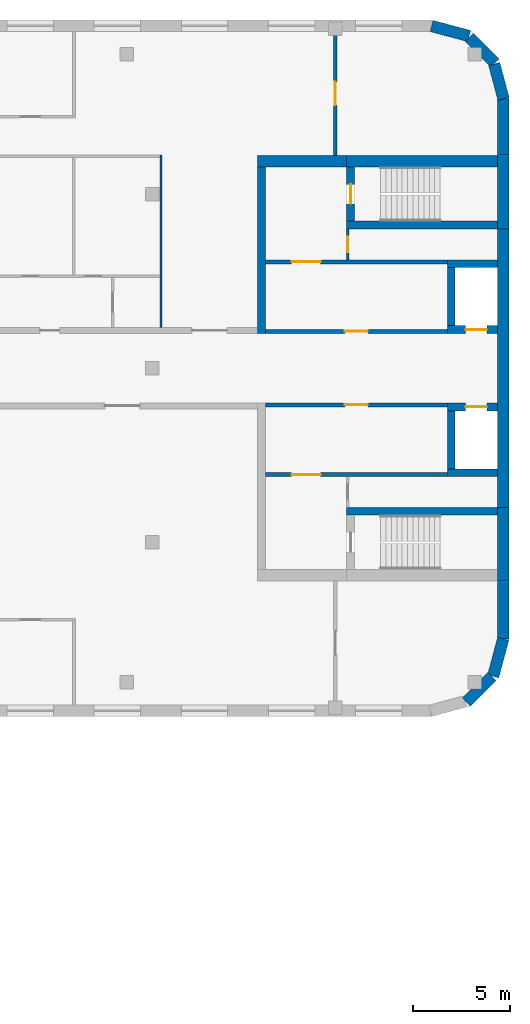
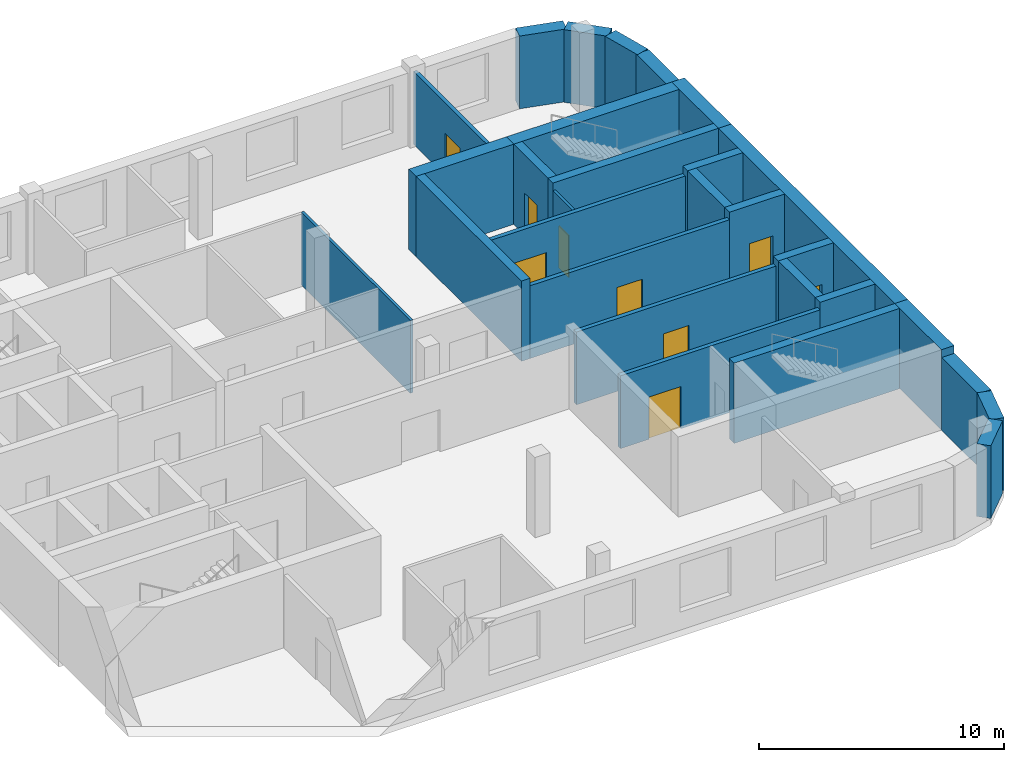
# One storey, part 9 of 12: 29 walls, 9 doors, 9 openings.
"""IFC4 building model written with IfcOpenShell, lengths in metres."""

from ifc_helpers import new_model, si_unit, direction, frame, frame_2d, origin, place, context, subcontext, project, spatial, rectangle, extrude, material, layer, layer_set, type_object, element, fill, save


model = new_model("IFC4")

# Units and contexts
model_context = context("Model", 3, precision=1e-05, world=origin(), true_north=direction((0.0, 1.0)))
body_context = subcontext(model_context, "Body", "Model", "MODEL_VIEW")
ifc_project = project(units=[si_unit("LENGTHUNIT", "METRE"), si_unit("AREAUNIT", "SQUARE_METRE"), si_unit("VOLUMEUNIT", "CUBIC_METRE"), si_unit("PLANEANGLEUNIT", "RADIAN"), si_unit("MASSUNIT", "GRAM", prefix="KILO")], contexts=[model_context])

# Site, building, storey
site_placement = place(None, origin())
site = spatial("IfcSite", under=ifc_project, at=site_placement, CompositionType="ELEMENT")
building_placement = place(site_placement, origin())
building = spatial("IfcBuilding", under=site, at=building_placement, Name="Skarvind Civic Tower", CompositionType="ELEMENT")
storey_placement = place(building_placement, frame((0.0, 0.0, 85.0)))
storey = spatial("IfcBuildingStorey", under=building, at=storey_placement, Name="L19", CompositionType="ELEMENT", Elevation=85.0)

# Wall, opening, door
ifc_material_1 = material(Name="Acoustic gypsum board on steel studs", Category="steel")
ifc_layer_1 = layer(ifc_material_1, 0.175048828125)
ifc_layer_set_1 = layer_set([ifc_layer_1], Name="ACOUSTIC MEETING-ROOM PARTITION 175")
wall_type_1 = type_object("IfcWallType", Name="ACOUSTIC MEETING-ROOM PARTITION 175", PredefinedType="PARTITIONING", material=ifc_layer_set_1)
wall_1_placement = place(storey_placement, frame((158.0, 139.0, 0.0), z_axis=(0.0, 0.0, 1.0), x_axis=(0.0, 1.0, 0.0)))
wall_1 = element("IfcWall", 1, at=wall_1_placement, inside=storey, type_object=wall_type_1, Name="Partition 19.017", PredefinedType="PARTITIONING", context=body_context, shape_type="SweptSolid", body=[
    extrude(rectangle(XDim=6.39990234375, YDim=0.175048828125, at=frame_2d((3.199951171875, 0.0))), origin(), (0.0, 0.0, 1.0), 3.625),
])
opening_1_placement = place(wall_1_placement, frame((2.60009765625, 0.0, 0.0)))
opening_1 = element("IfcOpeningElement", 2, at=opening_1_placement, cuts=wall_1, Name="Opening L19-D108", PredefinedType="OPENING", context=body_context, shape_type="SweptSolid", body=[
    extrude(rectangle(XDim=1.199951171875, YDim=2.10009765625, at=frame_2d((0.60009765625, 1.050048828125))), frame((0.0, 0.097412109375, 0.0), z_axis=(0.0, -1.0, 0.0), x_axis=(1.0, 0.0, 0.0)), (0.0, 0.0, 1.0), 0.195068359375),
])
ifc_material_2 = material(Name="Timber door leaf", Category="wood")
door_type_1 = type_object("IfcDoorType", Name="DOOR 1200X2100 DOUBLE TIMBER", OperationType="NOTDEFINED", PredefinedType="DOOR", material=ifc_material_2)
door_1_placement = place(opening_1_placement, origin())
door_1 = element("IfcDoor", 3, at=door_1_placement, inside=storey, type_object=door_type_1, Name="Door L19-D108", OperationType="DOUBLE_DOOR_SINGLE_SWING", OverallHeight=2.10009765625, OverallWidth=1.199951171875, PredefinedType="DOOR", context=body_context, shape_type="SweptSolid", body=[
    extrude(rectangle(XDim=1.199951171875, YDim=2.10009765625, at=frame_2d((0.60009765625, 1.050048828125))), frame((0.0, 0.02490234375, 0.0), z_axis=(0.0, -1.0, 0.0), x_axis=(1.0, 0.0, 0.0)), (0.0, 0.0, 1.0), 0.050048828125),
])
fill(opening_1, door_1)

ifc_material_3 = material(Name="Fire-rated masonry partition", Category="masonry")
ifc_layer_2 = layer(ifc_material_3, 0.199951171875)
ifc_layer_set_2 = layer_set([ifc_layer_2], Name="Core enclosure wall 200")
wall_type_2 = type_object("IfcWallType", Name="Core enclosure wall 200", PredefinedType="PARTITIONING", material=ifc_layer_set_2)
wall_2_placement = place(storey_placement, frame((163.800048828125, 126.10009765625, 0.0), z_axis=(0.0, 0.0, 1.0), x_axis=(-1.0, 0.0, 0.0)))
wall_2 = element("IfcWall", 4, at=wall_2_placement, inside=storey, type_object=wall_type_2, Name="Core wall CB", PredefinedType="PARTITIONING", context=body_context, shape_type="SweptSolid", body=[
    extrude(rectangle(XDim=9.400146484375, YDim=0.199951171875, at=frame_2d((4.7001953125, 0.0))), origin(), (0.0, 0.0, 1.0), 3.625),
])
opening_2_placement = place(wall_2_placement, frame((4.10009765625, 0.0, 0.0)))
opening_2 = element("IfcOpeningElement", 5, at=opening_2_placement, cuts=wall_2, Name="Opening D-L19-CB-03", PredefinedType="OPENING", context=body_context, shape_type="SweptSolid", body=[
    extrude(rectangle(XDim=1.199951171875, YDim=2.10009765625, at=frame_2d((0.60009765625, 1.050048828125))), frame((0.0, 0.10986328125, 0.0), z_axis=(0.0, -1.0, 0.0), x_axis=(1.0, 0.0, 0.0)), (0.0, 0.0, 1.0), 0.219970703125),
])
ifc_material_4 = material(Name="Fire-rated steel door", Category="steel")
door_type_2 = type_object("IfcDoorType", Name="Core lobby door 1200", OperationType="NOTDEFINED", PredefinedType="DOOR", material=ifc_material_4)
door_2_placement = place(opening_2_placement, origin())
door_2 = element("IfcDoor", 6, at=door_2_placement, inside=storey, type_object=door_type_2, Name="Fire door", OperationType="DOUBLE_DOOR_SINGLE_SWING", OverallHeight=2.10009765625, OverallWidth=1.199951171875, PredefinedType="DOOR", context=body_context, shape_type="SweptSolid", body=[
    extrude(rectangle(XDim=1.199951171875, YDim=2.10009765625, at=frame_2d((0.60009765625, 1.050048828125))), frame((0.0, 0.02490234375, 0.0), z_axis=(0.0, -1.0, 0.0), x_axis=(1.0, 0.0, 0.0)), (0.0, 0.0, 1.0), 0.050048828125),
])
fill(opening_2, door_2)

wall_3_placement = place(storey_placement, frame((163.800048828125, 122.5, 0.0), z_axis=(0.0, 0.0, 1.0), x_axis=(-1.0, 0.0, 0.0)))
wall_3 = element("IfcWall", 7, at=wall_3_placement, inside=storey, type_object=wall_type_2, Name="Core wall CB", PredefinedType="PARTITIONING", context=body_context, shape_type="SweptSolid", body=[
    extrude(rectangle(XDim=9.400146484375, YDim=0.199951171875, at=frame_2d((4.7001953125, 0.0))), origin(), (0.0, 0.0, 1.0), 3.625),
])
opening_3_placement = place(wall_3_placement, frame((6.550048828125, 0.0, 0.0)))
opening_3 = element("IfcOpeningElement", 8, at=opening_3_placement, cuts=wall_3, Name="Opening D-L19-CB-04", PredefinedType="OPENING", context=body_context, shape_type="SweptSolid", body=[
    extrude(rectangle(XDim=1.5, YDim=2.10009765625, at=frame_2d((0.75, 1.050048828125))), frame((0.0, 0.10986328125, 0.0), z_axis=(0.0, -1.0, 0.0), x_axis=(1.0, 0.0, 0.0)), (0.0, 0.0, 1.0), 0.219970703125),
])
door_type_3 = type_object("IfcDoorType", Name="Fire door 1500", OperationType="NOTDEFINED", PredefinedType="DOOR", material=ifc_material_4)
door_3_placement = place(opening_3_placement, origin())
door_3 = element("IfcDoor", 9, at=door_3_placement, inside=storey, type_object=door_type_3, Name="Fire door", OperationType="DOUBLE_DOOR_SINGLE_SWING", OverallHeight=2.10009765625, OverallWidth=1.5, PredefinedType="DOOR", context=body_context, shape_type="SweptSolid", body=[
    extrude(rectangle(XDim=1.5, YDim=2.10009765625, at=frame_2d((0.75, 1.050048828125))), frame((0.0, 0.02490234375, 0.0), z_axis=(0.0, -1.0, 0.0), x_axis=(1.0, 0.0, 0.0)), (0.0, 0.0, 1.0), 0.050048828125),
])
fill(opening_3, door_3)

wall_4_placement = place(storey_placement, frame((154.39990234375, 129.89990234375, 0.0), z_axis=(0.0, 0.0, 1.0), x_axis=(1.0, 0.0, 0.0)))
wall_4 = element("IfcWall", 10, at=wall_4_placement, inside=storey, type_object=wall_type_2, Name="Core wall CB", PredefinedType="PARTITIONING", context=body_context, shape_type="SweptSolid", body=[
    extrude(rectangle(XDim=9.400146484375, YDim=0.199951171875, at=frame_2d((4.7001953125, 0.0))), origin(), (0.0, 0.0, 1.0), 3.625),
])
opening_4_placement = place(wall_4_placement, frame((4.10009765625, 0.0, 0.0)))
opening_4 = element("IfcOpeningElement", 11, at=opening_4_placement, cuts=wall_4, Name="Opening D-L19-CB-07", PredefinedType="OPENING", context=body_context, shape_type="SweptSolid", body=[
    extrude(rectangle(XDim=1.199951171875, YDim=2.10009765625, at=frame_2d((0.60009765625, 1.050048828125))), frame((0.0, 0.10986328125, 0.0), z_axis=(0.0, -1.0, 0.0), x_axis=(1.0, 0.0, 0.0)), (0.0, 0.0, 1.0), 0.219970703125),
])
door_4_placement = place(opening_4_placement, origin())
door_4 = element("IfcDoor", 12, at=door_4_placement, inside=storey, type_object=door_type_2, Name="Fire door", OperationType="DOUBLE_DOOR_SINGLE_SWING", OverallHeight=2.10009765625, OverallWidth=1.199951171875, PredefinedType="DOOR", context=body_context, shape_type="SweptSolid", body=[
    extrude(rectangle(XDim=1.199951171875, YDim=2.10009765625, at=frame_2d((0.60009765625, 1.050048828125))), frame((0.0, 0.02490234375, 0.0), z_axis=(0.0, -1.0, 0.0), x_axis=(1.0, 0.0, 0.0)), (0.0, 0.0, 1.0), 0.050048828125),
])
fill(opening_4, door_4)

wall_5_placement = place(storey_placement, frame((154.39990234375, 133.5, 0.0), z_axis=(0.0, 0.0, 1.0), x_axis=(1.0, 0.0, 0.0)))
wall_5 = element("IfcWall", 13, at=wall_5_placement, inside=storey, type_object=wall_type_2, Name="Core wall CB", PredefinedType="PARTITIONING", context=body_context, shape_type="SweptSolid", body=[
    extrude(rectangle(XDim=9.400146484375, YDim=0.199951171875, at=frame_2d((4.7001953125, 0.0))), origin(), (0.0, 0.0, 1.0), 3.625),
])
opening_5_placement = place(wall_5_placement, frame((1.35009765625, 0.0, 0.0)))
opening_5 = element("IfcOpeningElement", 14, at=opening_5_placement, cuts=wall_5, Name="Opening D-L19-CB-08", PredefinedType="OPENING", context=body_context, shape_type="SweptSolid", body=[
    extrude(rectangle(XDim=1.5, YDim=2.10009765625, at=frame_2d((0.75, 1.050048828125))), frame((0.0, 0.10986328125, 0.0), z_axis=(0.0, -1.0, 0.0), x_axis=(1.0, 0.0, 0.0)), (0.0, 0.0, 1.0), 0.219970703125),
])
door_5_placement = place(opening_5_placement, origin())
door_5 = element("IfcDoor", 15, at=door_5_placement, inside=storey, type_object=door_type_3, Name="Fire door", OperationType="DOUBLE_DOOR_SINGLE_SWING", OverallHeight=2.10009765625, OverallWidth=1.5, PredefinedType="DOOR", context=body_context, shape_type="SweptSolid", body=[
    extrude(rectangle(XDim=1.5, YDim=2.10009765625, at=frame_2d((0.75, 1.050048828125))), frame((0.0, 0.02490234375, 0.0), z_axis=(0.0, -1.0, 0.0), x_axis=(1.0, 0.0, 0.0)), (0.0, 0.0, 1.0), 0.050048828125),
])
fill(opening_5, door_5)

# Wall
ifc_material_5 = material(Name="Concrete C80", Category="concrete")
ifc_layer_3 = layer(ifc_material_5, 0.39990234375)
ifc_layer_set_3 = layer_set([ifc_layer_3], Name="Core wall 400 C80")
wall_type_3 = type_object("IfcWallType", Name="Core wall 400 C80", PredefinedType="SHEAR", material=ifc_layer_set_3)
wall_6_placement = place(storey_placement, frame((166.39990234375, 135.39990234375, 0.0), z_axis=(0.0, 0.0, 1.0), x_axis=(-1.0, 0.0, 0.0)))
element("IfcWall", 16, at=wall_6_placement, inside=storey, type_object=wall_type_3, Name="Core wall CB south stair inner L19", PredefinedType="SHEAR", context=body_context, shape_type="SweptSolid", body=[
    extrude(rectangle(XDim=7.7998046875, YDim=0.39990234375, at=frame_2d((3.89990234375, 0.0))), origin(), (0.0, 0.0, 1.0), 4.0),
])

# Wall, opening, door
wall_7_placement = place(storey_placement, frame((158.800048828125, 138.39990234375, 0.0), z_axis=(0.0, 0.0, 1.0), x_axis=(0.0, -1.0, 0.0)))
wall_7 = element("IfcWall", 17, at=wall_7_placement, inside=storey, type_object=wall_type_3, Name="Core wall CB south stair end L19", PredefinedType="SHEAR", context=body_context, shape_type="SweptSolid", body=[
    extrude(rectangle(XDim=2.7998046875, YDim=0.39990234375, at=frame_2d((1.39990234375, 0.0))), origin(), (0.0, 0.0, 1.0), 4.0),
])
opening_6_placement = place(wall_7_placement, frame((0.89990234375, 0.0, 0.0)))
opening_6 = element("IfcOpeningElement", 18, at=opening_6_placement, cuts=wall_7, Name="Opening D-L19-CB-09", PredefinedType="OPENING", context=body_context, shape_type="SweptSolid", body=[
    extrude(rectangle(XDim=1.0, YDim=2.10009765625, at=frame_2d((0.5, 1.050048828125))), frame((0.0, 0.2099609375, 0.0), z_axis=(0.0, -1.0, 0.0), x_axis=(1.0, 0.0, 0.0)), (0.0, 0.0, 1.0), 0.419921875),
])
door_type_4 = type_object("IfcDoorType", Name="Fire door 1000", OperationType="NOTDEFINED", PredefinedType="DOOR", material=ifc_material_4)
door_6_placement = place(opening_6_placement, origin())
door_6 = element("IfcDoor", 19, at=door_6_placement, inside=storey, type_object=door_type_4, Name="Fire door", OperationType="SINGLE_SWING_RIGHT", OverallHeight=2.10009765625, OverallWidth=1.0, PredefinedType="DOOR", context=body_context, shape_type="SweptSolid", body=[
    extrude(rectangle(XDim=1.0, YDim=2.10009765625, at=frame_2d((0.5, 1.050048828125))), frame((0.0, 0.02490234375, 0.0), z_axis=(0.0, -1.0, 0.0), x_axis=(1.0, 0.0, 0.0)), (0.0, 0.0, 1.0), 0.050048828125),
])
fill(opening_6, door_6)

# Wall
wall_8_placement = place(storey_placement, frame((166.39990234375, 120.60009765625, 0.0), z_axis=(0.0, 0.0, 1.0), x_axis=(-1.0, 0.0, 0.0)))
element("IfcWall", 20, at=wall_8_placement, inside=storey, type_object=wall_type_3, Name="Core wall CB north stair inner L19", PredefinedType="SHEAR", context=body_context, shape_type="SweptSolid", body=[
    extrude(rectangle(XDim=7.7998046875, YDim=0.39990234375, at=frame_2d((3.89990234375, 0.0))), origin(), (0.0, 0.0, 1.0), 4.0),
])

# Wall, opening, door
wall_9_placement = place(storey_placement, frame((166.39990234375, 130.0, 0.0), z_axis=(0.0, 0.0, 1.0), x_axis=(-1.0, 0.0, 0.0)))
wall_9 = element("IfcWall", 21, at=wall_9_placement, inside=storey, type_object=wall_type_3, Name="Core wall CB south lift row front L19", PredefinedType="SHEAR", context=body_context, shape_type="SweptSolid", body=[
    extrude(rectangle(XDim=2.599853515625, YDim=0.39990234375, at=frame_2d((1.2998046875, 0.0))), origin(), (0.0, 0.0, 1.0), 4.0),
])
opening_7_placement = place(wall_9_placement, frame((0.550048828125, 0.0, 0.0)))
opening_7 = element("IfcOpeningElement", 22, at=opening_7_placement, cuts=wall_9, Name="Opening LD21402", PredefinedType="OPENING", context=body_context, shape_type="SweptSolid", body=[
    extrude(rectangle(XDim=1.10009765625, YDim=2.10009765625, at=frame_2d((0.550048828125, 1.050048828125))), frame((0.0, 0.2099609375, 0.0), z_axis=(0.0, -1.0, 0.0), x_axis=(1.0, 0.0, 0.0)), (0.0, 0.0, 1.0), 0.419921875),
])
ifc_material_6 = material(Name="Stainless steel landing door", Category="steel")
door_type_5 = type_object("IfcDoorType", Name="Lift landing door 1100", OperationType="DOUBLE_DOOR_SLIDING", PredefinedType="DOOR", material=ifc_material_6)
door_7_placement = place(opening_7_placement, origin())
door_7 = element("IfcDoor", 23, at=door_7_placement, inside=storey, type_object=door_type_5, Name="Lift landing door", OperationType="DOUBLE_DOOR_SLIDING", OverallHeight=2.10009765625, OverallWidth=1.10009765625, PredefinedType="DOOR", context=body_context, shape_type="SweptSolid", body=[
    extrude(rectangle(XDim=1.10009765625, YDim=2.10009765625, at=frame_2d((0.550048828125, 1.050048828125))), frame((0.0, 0.02490234375, 0.0), z_axis=(0.0, -1.0, 0.0), x_axis=(1.0, 0.0, 0.0)), (0.0, 0.0, 1.0), 0.050048828125),
])
fill(opening_7, door_7)

# Walls
wall_10_placement = place(storey_placement, frame((166.39990234375, 133.39990234375, 0.0), z_axis=(0.0, 0.0, 1.0), x_axis=(-1.0, 0.0, 0.0)))
element("IfcWall", 24, at=wall_10_placement, inside=storey, type_object=wall_type_3, Name="Core wall CB south lift row back L19", PredefinedType="SHEAR", context=body_context, shape_type="SweptSolid", body=[
    extrude(rectangle(XDim=2.599853515625, YDim=0.39990234375, at=frame_2d((1.2998046875, 0.0))), origin(), (0.0, 0.0, 1.0), 4.0),
])
wall_11_placement = place(storey_placement, frame((164.0, 133.199951171875, 0.0), z_axis=(0.0, 0.0, 1.0), x_axis=(0.0, -1.0, 0.0)))
element("IfcWall", 25, at=wall_11_placement, inside=storey, type_object=wall_type_3, Name="Core wall CB south lift row division 1 L19", PredefinedType="SHEAR", context=body_context, shape_type="SweptSolid", body=[
    extrude(rectangle(XDim=3.0, YDim=0.39990234375, at=frame_2d((1.5, 0.0))), origin(), (0.0, 0.0, 1.0), 4.0),
])

# Wall, opening, door
wall_12_placement = place(storey_placement, frame((166.39990234375, 126.0, 0.0), z_axis=(0.0, 0.0, 1.0), x_axis=(-1.0, 0.0, 0.0)))
wall_12 = element("IfcWall", 26, at=wall_12_placement, inside=storey, type_object=wall_type_3, Name="Core wall CB north lift row front L19", PredefinedType="SHEAR", context=body_context, shape_type="SweptSolid", body=[
    extrude(rectangle(XDim=2.599853515625, YDim=0.39990234375, at=frame_2d((1.2998046875, 0.0))), origin(), (0.0, 0.0, 1.0), 4.0),
])
opening_8_placement = place(wall_12_placement, frame((0.550048828125, 0.0, 0.0)))
opening_8 = element("IfcOpeningElement", 27, at=opening_8_placement, cuts=wall_12, Name="Opening LD21401", PredefinedType="OPENING", context=body_context, shape_type="SweptSolid", body=[
    extrude(rectangle(XDim=1.10009765625, YDim=2.10009765625, at=frame_2d((0.550048828125, 1.050048828125))), frame((0.0, 0.2099609375, 0.0), z_axis=(0.0, -1.0, 0.0), x_axis=(1.0, 0.0, 0.0)), (0.0, 0.0, 1.0), 0.419921875),
])
door_8_placement = place(opening_8_placement, origin())
door_8 = element("IfcDoor", 28, at=door_8_placement, inside=storey, type_object=door_type_5, Name="Lift landing door", OperationType="DOUBLE_DOOR_SLIDING", OverallHeight=2.10009765625, OverallWidth=1.10009765625, PredefinedType="DOOR", context=body_context, shape_type="SweptSolid", body=[
    extrude(rectangle(XDim=1.10009765625, YDim=2.10009765625, at=frame_2d((0.550048828125, 1.050048828125))), frame((0.0, 0.02490234375, 0.0), z_axis=(0.0, -1.0, 0.0), x_axis=(1.0, 0.0, 0.0)), (0.0, 0.0, 1.0), 0.050048828125),
])
fill(opening_8, door_8)

# Walls
wall_13_placement = place(storey_placement, frame((166.39990234375, 122.60009765625, 0.0), z_axis=(0.0, 0.0, 1.0), x_axis=(-1.0, 0.0, 0.0)))
element("IfcWall", 29, at=wall_13_placement, inside=storey, type_object=wall_type_3, Name="Core wall CB north lift row back L19", PredefinedType="SHEAR", context=body_context, shape_type="SweptSolid", body=[
    extrude(rectangle(XDim=2.599853515625, YDim=0.39990234375, at=frame_2d((1.2998046875, 0.0))), origin(), (0.0, 0.0, 1.0), 4.0),
])
wall_14_placement = place(storey_placement, frame((164.0, 125.800048828125, 0.0), z_axis=(0.0, 0.0, 1.0), x_axis=(0.0, -1.0, 0.0)))
element("IfcWall", 30, at=wall_14_placement, inside=storey, type_object=wall_type_3, Name="Core wall CB north lift row division 1 L19", PredefinedType="SHEAR", context=body_context, shape_type="SweptSolid", body=[
    extrude(rectangle(XDim=3.0, YDim=0.39990234375, at=frame_2d((1.5, 0.0))), origin(), (0.0, 0.0, 1.0), 4.0),
])
wall_15_placement = place(storey_placement, frame((154.199951171875, 138.39990234375, 0.0), z_axis=(0.0, 0.0, 1.0), x_axis=(0.0, -1.0, 0.0)))
element("IfcWall", 31, at=wall_15_placement, inside=storey, type_object=wall_type_3, Name="Core wall CB south inner face L19", PredefinedType="SHEAR", context=body_context, shape_type="SweptSolid", body=[
    extrude(rectangle(XDim=8.599853515625, YDim=0.39990234375, at=frame_2d((4.2998046875, 0.0))), origin(), (0.0, 0.0, 1.0), 4.0),
])
ifc_layer_4 = layer(ifc_material_5, 0.60009765625)
ifc_layer_set_4 = layer_set([ifc_layer_4], Name="Core wall 600 C80")
wall_type_4 = type_object("IfcWallType", Name="Core wall 600 C80", PredefinedType="SHEAR", material=ifc_layer_set_4)
wall_16_placement = place(storey_placement, frame((166.699951171875, 139.0, 0.0), z_axis=(0.0, 0.0, 1.0), x_axis=(0.0, -1.0, 0.0)))
element("IfcWall", 32, at=wall_16_placement, inside=storey, type_object=wall_type_4, Name="Core wall CB tip at the south stair L19", PredefinedType="SHEAR", context=body_context, shape_type="SweptSolid", body=[
    extrude(rectangle(XDim=3.800048828125, YDim=0.60009765625, at=frame_2d((1.89990234375, 0.0))), origin(), (0.0, 0.0, 1.0), 4.0),
])
wall_17_placement = place(storey_placement, frame((166.699951171875, 135.199951171875, 0.0), z_axis=(0.0, 0.0, 1.0), x_axis=(0.0, -1.0, 0.0)))
element("IfcWall", 33, at=wall_17_placement, inside=storey, type_object=wall_type_4, Name="Core wall CB tip between the stairs L19", PredefinedType="SHEAR", context=body_context, shape_type="SweptSolid", body=[
    extrude(rectangle(XDim=14.39990234375, YDim=0.60009765625, at=frame_2d((7.199951171875, 0.0))), origin(), (0.0, 0.0, 1.0), 4.0),
])
wall_18_placement = place(storey_placement, frame((166.699951171875, 120.800048828125, 0.0), z_axis=(0.0, 0.0, 1.0), x_axis=(0.0, -1.0, 0.0)))
element("IfcWall", 34, at=wall_18_placement, inside=storey, type_object=wall_type_4, Name="Core wall CB tip at the north stair L19", PredefinedType="SHEAR", context=body_context, shape_type="SweptSolid", body=[
    extrude(rectangle(XDim=3.800048828125, YDim=0.60009765625, at=frame_2d((1.89990234375, 0.0))), origin(), (0.0, 0.0, 1.0), 4.0),
])
wall_19_placement = place(storey_placement, frame((166.39990234375, 138.699951171875, 0.0), z_axis=(0.0, 0.0, 1.0), x_axis=(-1.0, 0.0, 0.0)))
element("IfcWall", 35, at=wall_19_placement, inside=storey, type_object=wall_type_4, Name="Core wall CB south side at the stair L19", PredefinedType="SHEAR", context=body_context, shape_type="SweptSolid", body=[
    extrude(rectangle(XDim=7.7998046875, YDim=0.60009765625, at=frame_2d((3.89990234375, 0.0))), origin(), (0.0, 0.0, 1.0), 4.0),
])
wall_20_placement = place(storey_placement, frame((158.60009765625, 138.699951171875, 0.0), z_axis=(0.0, 0.0, 1.0), x_axis=(-1.0, 0.0, 0.0)))
element("IfcWall", 36, at=wall_20_placement, inside=storey, type_object=wall_type_4, Name="Core wall CB south side L19", PredefinedType="SHEAR", context=body_context, shape_type="SweptSolid", body=[
    extrude(rectangle(XDim=4.60009765625, YDim=0.60009765625, at=frame_2d((2.300048828125, 0.0))), origin(), (0.0, 0.0, 1.0), 4.0),
])

# Wall, opening, door
ifc_layer_5 = layer(ifc_material_3, 0.125)
ifc_layer_set_5 = layer_set([ifc_layer_5], Name="Riser wall 125")
wall_type_5 = type_object("IfcWallType", Name="Riser wall 125", PredefinedType="PARTITIONING", material=ifc_layer_set_5)
wall_21_placement = place(storey_placement, frame((158.66259765625, 133.60009765625, 0.0), z_axis=(0.0, 0.0, 1.0), x_axis=(0.0, 1.0, 0.0)))
wall_21 = element("IfcWall", 37, at=wall_21_placement, inside=storey, type_object=wall_type_5, Name="Core wall CB", PredefinedType="PARTITIONING", context=body_context, shape_type="SweptSolid", body=[
    extrude(rectangle(XDim=1.599853515625, YDim=0.125, at=frame_2d((0.7998046875, 0.0))), origin(), (0.0, 0.0, 1.0), 3.625),
])
opening_9_placement = place(wall_21_placement, frame((0.39990234375, 0.0, 0.0)))
opening_9 = element("IfcOpeningElement", 38, at=opening_9_placement, cuts=wall_21, Name="Opening D-L19-CB-10", PredefinedType="OPENING", context=body_context, shape_type="SweptSolid", body=[
    extrude(rectangle(XDim=0.800048828125, YDim=2.10009765625, at=frame_2d((0.39990234375, 1.050048828125))), frame((0.0, 0.072509765625, 0.0), z_axis=(0.0, -1.0, 0.0), x_axis=(1.0, 0.0, 0.0)), (0.0, 0.0, 1.0), 0.14501953125),
])
door_type_6 = type_object("IfcDoorType", Name="Core riser door 800", OperationType="NOTDEFINED", PredefinedType="DOOR", material=ifc_material_4)
door_9_placement = place(opening_9_placement, origin())
door_9 = element("IfcDoor", 39, at=door_9_placement, inside=storey, type_object=door_type_6, Name="Riser door", OperationType="SINGLE_SWING_LEFT", OverallHeight=2.10009765625, OverallWidth=0.800048828125, PredefinedType="DOOR", context=body_context, shape_type="SweptSolid", body=[
    extrude(rectangle(XDim=0.800048828125, YDim=2.10009765625, at=frame_2d((0.39990234375, 1.050048828125))), frame((0.0, 0.02490234375, 0.0), z_axis=(0.0, -1.0, 0.0), x_axis=(1.0, 0.0, 0.0)), (0.0, 0.0, 1.0), 0.050048828125),
])
fill(opening_9, door_9)

# Walls
ifc_material_7 = material(Name="Moisture-resistant gypsum board on steel studs", Category="steel")
ifc_layer_6 = layer(ifc_material_7, 0.125)
ifc_layer_set_6 = layer_set([ifc_layer_6], Name="WC PARTITION 125")
wall_type_6 = type_object("IfcWallType", Name="WC PARTITION 125", PredefinedType="PARTITIONING", material=ifc_layer_set_6)
wall_22_placement = place(storey_placement, frame((149.0, 139.011962890625, 0.0), z_axis=(0.0, 0.0, 1.0), x_axis=(0.0, -1.0, 0.0)))
element("IfcWall", 40, at=wall_22_placement, inside=storey, type_object=wall_type_6, Name="Partition 19.014", PredefinedType="PARTITIONING", context=body_context, shape_type="SweptSolid", body=[
    extrude(rectangle(XDim=8.911865234375, YDim=0.125, at=frame_2d((4.4560546875, 0.0))), origin(), (0.0, 0.0, 1.0), 3.625),
])
ifc_material_8 = material(Name="Limestone masonry cladding on insulated backing", Category="masonry")
ifc_layer_7 = layer(ifc_material_8, 0.60009765625)
ifc_layer_set_7 = layer_set([ifc_layer_7], Name="WX1 STONE FACADE WALL 600")
wall_type_7 = type_object("IfcWallType", Name="WX1 STONE FACADE WALL 600", PredefinedType="SOLIDWALL", material=ifc_layer_set_7)
wall_23_placement = place(storey_placement, frame((166.103515625, 112.063720703125, 0.0), z_axis=(0.0, 0.0, 1.0), x_axis=(-0.707106781187, -0.707106781187, 0.0)))
element("IfcWall", 41, at=wall_23_placement, inside=storey, type_object=wall_type_7, Name="STONE FACADE WALL", PredefinedType="SOLIDWALL", context=body_context, shape_type="SweptSolid", body=[
    extrude(rectangle(XDim=1.860595703125, YDim=0.60009765625, at=frame_2d((0.93017578125, 0.0))), origin(), (0.0, 0.0, 1.0), 3.625),
])
wall_24_placement = place(storey_placement, frame((166.692138671875, 114.010009765625, 0.0), z_axis=(0.0, 0.0, 1.0), x_axis=(-0.258839784042, -0.965920269068, 0.0)))
element("IfcWall", 42, at=wall_24_placement, inside=storey, type_object=wall_type_7, Name="STONE FACADE WALL", PredefinedType="SOLIDWALL", context=body_context, shape_type="SweptSolid", body=[
    extrude(rectangle(XDim=2.00048828125, YDim=0.60009765625, at=frame_2d((1.000244140625, 0.0))), origin(), (0.0, 0.0, 1.0), 3.625),
])
wall_25_placement = place(storey_placement, frame((166.699951171875, 116.97998046875, 0.0), z_axis=(0.0, 0.0, 1.0), x_axis=(0.0, -1.0, 0.0)))
element("IfcWall", 43, at=wall_25_placement, inside=storey, type_object=wall_type_7, Name="STONE FACADE WALL", PredefinedType="SOLIDWALL", context=body_context, shape_type="SweptSolid", body=[
    extrude(rectangle(XDim=2.97998046875, YDim=0.60009765625, at=frame_2d((1.489990234375, 0.0))), origin(), (0.0, 0.0, 1.0), 3.625),
])
wall_26_placement = place(storey_placement, frame((166.699951171875, 141.929931640625, 0.0), z_axis=(0.0, 0.0, 1.0), x_axis=(0.0, -1.0, 0.0)))
element("IfcWall", 44, at=wall_26_placement, inside=storey, type_object=wall_type_7, Name="STONE FACADE WALL", PredefinedType="SOLIDWALL", context=body_context, shape_type="SweptSolid", body=[
    extrude(rectangle(XDim=2.909912109375, YDim=0.60009765625, at=frame_2d((1.455078125, 0.0))), origin(), (0.0, 0.0, 1.0), 3.625),
])
for number, where, z_axis, x_axis, name in (
    (45, (166.228759765625, 143.719482421875, 0.0), (0.0, 0.0, 1.0), (0.258773254036, -0.965938094805, 0.0), "STONE FACADE WALL"),
    (46, (164.936279296875, 145.103515625, 0.0), (0.0, 0.0, 1.0), (0.707106781187, -0.707106781187, 0.0), "STONE FACADE WALL"),
):
    element("IfcWall", number, at=place(storey_placement, frame(where, z_axis=z_axis, x_axis=x_axis)), inside=storey, type_object=wall_type_7, Name=name, PredefinedType="SOLIDWALL", context=body_context, shape_type="SweptSolid", body=[
        extrude(rectangle(XDim=1.860595703125, YDim=0.60009765625, at=frame_2d((0.93017578125, 0.0))), origin(), (0.0, 0.0, 1.0), 3.625),
    ])
wall_27_placement = place(storey_placement, frame((162.989990234375, 145.692138671875, 0.0), z_axis=(0.0, 0.0, 1.0), x_axis=(0.965920269068, -0.258839784042, 0.0)))
element("IfcWall", 47, at=wall_27_placement, inside=storey, type_object=wall_type_7, Name="STONE FACADE WALL", PredefinedType="SOLIDWALL", context=body_context, shape_type="SweptSolid", body=[
    extrude(rectangle(XDim=2.00048828125, YDim=0.60009765625, at=frame_2d((1.000244140625, 0.0))), origin(), (0.0, 0.0, 1.0), 3.625),
])

save(model, "model.ifc")
